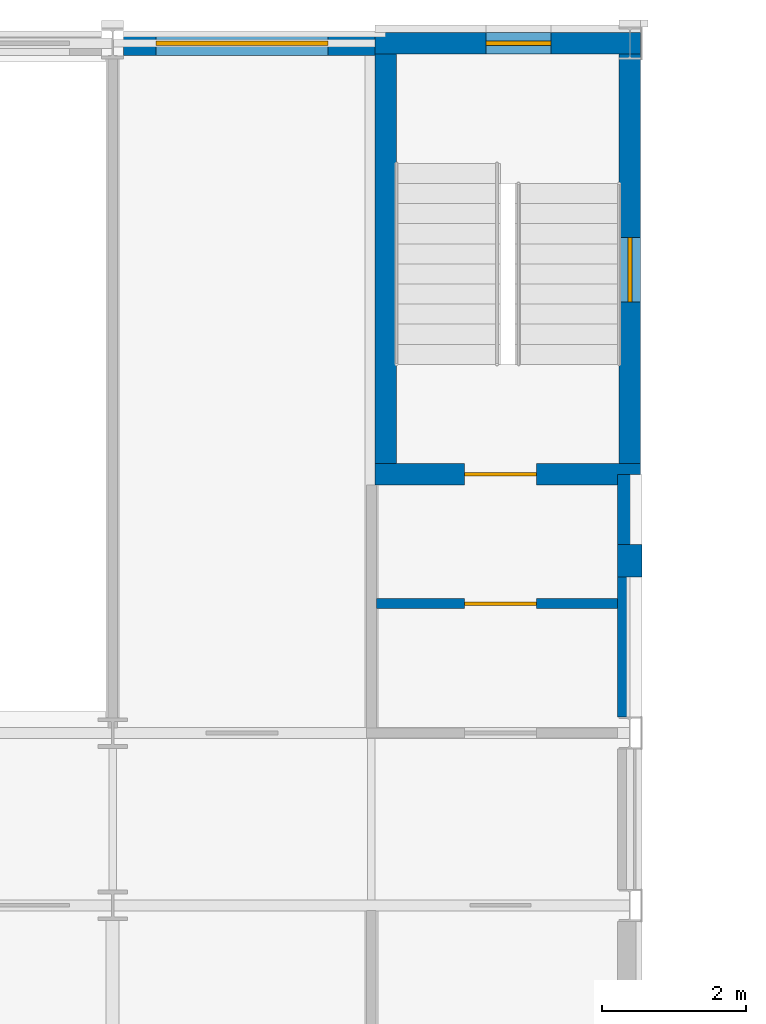
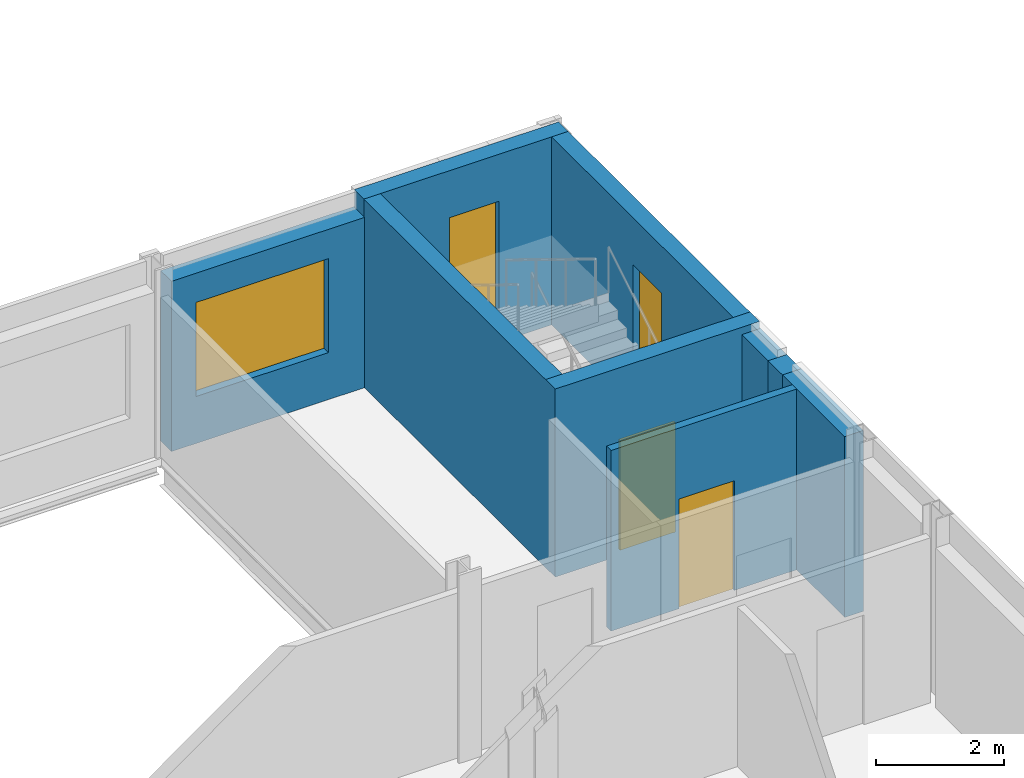
# One storey, part 65 of 120: 9 walls, 3 windows, 2 doors, 5 openings.
"""IFC4 building model written with IfcOpenShell, lengths in metres."""

from ifc_helpers import new_model, si_unit, direction, frame, frame_2d, origin, place, context, subcontext, project, spatial, rectangle, extrude, material, layer, layer_set, type_object, element, fill, save


model = new_model("IFC4")

# Units and contexts
model_context = context("Model", 3, precision=1e-05, world=origin(), true_north=direction((0.0, 1.0)))
body_context = subcontext(model_context, "Body", "Model", "MODEL_VIEW")
ifc_project = project(units=[si_unit("LENGTHUNIT", "METRE"), si_unit("AREAUNIT", "SQUARE_METRE"), si_unit("VOLUMEUNIT", "CUBIC_METRE"), si_unit("PLANEANGLEUNIT", "RADIAN"), si_unit("MASSUNIT", "GRAM", prefix="KILO")], contexts=[model_context])

# Site, building, storey
site_placement = place(None, origin())
site = spatial("IfcSite", under=ifc_project, at=site_placement, CompositionType="ELEMENT")
building_placement = place(site_placement, origin())
building = spatial("IfcBuilding", under=site, at=building_placement, Name="Kupolbacken Congress Centre", CompositionType="ELEMENT")
storey_placement = place(building_placement, frame((0.0, 0.0, 21.60009765625)))
storey = spatial("IfcBuildingStorey", under=building, at=storey_placement, Name="L06", CompositionType="ELEMENT", Elevation=21.60009765625)

# Walls
ifc_material_1 = material(Name="Brick", Category="masonry")
ifc_layer_1 = layer(ifc_material_1, 0.10791015625)
ifc_material_2 = material(Name="Air cavity", Category="air")
ifc_layer_2 = layer(ifc_material_2, 0.050048828125, ventilated=True)
ifc_material_3 = material(Name="Mineral wool", Category="insulation")
ifc_layer_3 = layer(ifc_material_3, 0.1298828125)
ifc_material_4 = material(Name="Steel studs", Category="metal")
ifc_layer_4 = layer(ifc_material_4, 0.052001953125)
ifc_layer_set_1 = layer_set([ifc_layer_1, ifc_layer_2, ifc_layer_3, ifc_layer_4], Name="Brick / Mineral wool / Steel studs")
wall_type_1 = type_object("IfcWallType", Name="EW02 external cavity wall 340", PredefinedType="SOLIDWALL", material=ifc_layer_set_1)
wall_1_placement = place(storey_placement, frame((136.800048828125, 134.625, 0.0), z_axis=(0.0, 0.0, 1.0), x_axis=(0.0, 1.0, 0.0)))
element("IfcWall", 1, at=wall_1_placement, inside=storey, type_object=wall_type_1, Name="E/T/E/L06/082", PredefinedType="SOLIDWALL", context=body_context, shape_type="SweptSolid", body=[
    extrude(rectangle(XDim=1.949951171875, YDim=0.340087890625, at=frame_2d((0.97509765625, 0.0))), origin(), (0.0, 0.0, 1.0), 3.4599609375),
])
wall_2_placement = place(storey_placement, frame((136.800048828125, 137.02490234375, 0.0), z_axis=(0.0, 0.0, 1.0), x_axis=(0.0, 1.0, 0.0)))
element("IfcWall", 2, at=wall_2_placement, inside=storey, type_object=wall_type_1, Name="E/T/E/L06/083", PredefinedType="SOLIDWALL", context=body_context, shape_type="SweptSolid", body=[
    extrude(rectangle(XDim=0.97509765625, YDim=0.340087890625, at=frame_2d((0.487548828125, 0.0))), origin(), (0.0, 0.0, 1.0), 3.4599609375),
])

# Wall, opening, window
wall_3_placement = place(storey_placement, frame((133.39990234375, 144.0, 0.0), z_axis=(0.0, 0.0, 1.0), x_axis=(-1.0, 0.0, 0.0)))
wall_3 = element("IfcWall", 3, at=wall_3_placement, inside=storey, type_object=wall_type_1, Name="E/T/N/L06/084", PredefinedType="SOLIDWALL", context=body_context, shape_type="SweptSolid", body=[
    extrude(rectangle(XDim=3.646484375, YDim=0.340087890625, at=frame_2d((1.8232421875, 0.0))), origin(), (0.0, 0.0, 1.0), 3.260009765625),
])
opening_1_placement = place(wall_3_placement, frame((0.800048828125, 0.0, 0.89990234375)))
opening_1 = element("IfcOpeningElement", 4, at=opening_1_placement, cuts=wall_3, Name="Opening W8", PredefinedType="OPENING", context=body_context, shape_type="SweptSolid", body=[
    extrude(rectangle(XDim=2.39990234375, YDim=1.800048828125, at=frame_2d((1.199951171875, 0.89990234375))), frame((0.0, 0.179931640625, 0.0), z_axis=(0.0, -1.0, 0.0), x_axis=(1.0, 0.0, 0.0)), (0.0, 0.0, 1.0), 0.360107421875),
])
ifc_material_5 = material(Name="Aluminium frame with double or triple glazing", Category="aluminium")
window_type_1 = type_object("IfcWindowType", Name="W8 window 2400x1800", PartitioningType="DOUBLE_PANEL_VERTICAL", PredefinedType="WINDOW", material=ifc_material_5)
window_1_placement = place(opening_1_placement, origin())
window_1 = element("IfcWindow", 5, at=window_1_placement, inside=storey, type_object=window_type_1, Name="E/T/N/L06/084/W1", OverallHeight=1.800048828125, OverallWidth=2.39990234375, PartitioningType="SINGLE_PANEL", PredefinedType="WINDOW", context=body_context, shape_type="SweptSolid", body=[
    extrude(rectangle(XDim=2.39990234375, YDim=1.800048828125, at=frame_2d((1.199951171875, 0.89990234375))), frame((0.0, 0.030029296875, 0.0), z_axis=(0.0, -1.0, 0.0), x_axis=(1.0, 0.0, 0.0)), (0.0, 0.0, 1.0), 0.06005859375),
])
fill(opening_1, window_1)

# Wall
wall_4_placement = place(storey_placement, frame((136.800048828125, 136.574951171875, 0.0), z_axis=(0.0, 0.0, 1.0), x_axis=(0.0, 1.0, 0.0)))
element("IfcWall", 6, at=wall_4_placement, inside=storey, type_object=wall_type_1, Name="E/T/gapfill/E/L06/002", PredefinedType="SOLIDWALL", context=body_context, shape_type="SweptSolid", body=[
    extrude(rectangle(XDim=0.449951171875, YDim=0.340087890625, at=frame_2d((0.22509765625, 0.0))), origin(), (0.0, 0.0, 1.0), 3.4599609375),
])

# Wall, opening, door
ifc_material_6 = material(Name="Aerated concrete block", Category="masonry")
ifc_layer_5 = layer(ifc_material_6, 0.139892578125)
ifc_layer_set_2 = layer_set([ifc_layer_5], Name="Aerated concrete block")
wall_type_2 = type_object("IfcWallType", Name="P14 compartment wall 140", PredefinedType="PARTITIONING", material=ifc_layer_set_2)
wall_5_placement = place(storey_placement, frame((133.27001953125, 136.199951171875, 0.0), z_axis=(0.0, 0.0, 1.0), x_axis=(1.0, 0.0, 0.0)))
wall_5 = element("IfcWall", 7, at=wall_5_placement, inside=storey, type_object=wall_type_2, Name="T/wall/L06/x/13620/13320", PredefinedType="PARTITIONING", context=body_context, shape_type="SweptSolid", body=[
    extrude(rectangle(XDim=3.35986328125, YDim=0.139892578125, at=frame_2d((1.679931640625, 0.0))), origin(), (0.0, 0.0, 1.0), 3.4599609375),
])
opening_2_placement = place(wall_5_placement, frame((1.22998046875, 0.0, 0.0)))
opening_2 = element("IfcOpeningElement", 8, at=opening_2_placement, cuts=wall_5, Name="Opening D5", PredefinedType="OPENING", context=body_context, shape_type="SweptSolid", body=[
    extrude(rectangle(XDim=1.0, YDim=2.10009765625, at=frame_2d((0.5, 1.050048828125))), frame((0.0, 0.079833984375, 0.0), z_axis=(0.0, -1.0, 0.0), x_axis=(1.0, 0.0, 0.0)), (0.0, 0.0, 1.0), 0.159912109375),
])
ifc_material_7 = material(Name="Steel fire door leaf", Category="steel")
door_type = type_object("IfcDoorType", Name="D5 stair door 1000x2100", OperationType="SINGLE_SWING_LEFT", PredefinedType="DOOR", material=ifc_material_7)
door_1_placement = place(opening_2_placement, frame((1.0, 0.0, 0.0), z_axis=(0.0, 0.0, 1.0), x_axis=(-1.0, 0.0, 0.0)))
door_1 = element("IfcDoor", 9, at=door_1_placement, inside=storey, type_object=door_type, Name="T/wall/L06/x/13620/13320/D-TS4-LK2", OperationType="SINGLE_SWING_RIGHT", OverallHeight=2.10009765625, OverallWidth=1.0, PredefinedType="DOOR", context=body_context, shape_type="SweptSolid", body=[
    extrude(rectangle(XDim=1.0, YDim=2.10009765625, at=frame_2d((0.5, 1.050048828125))), frame((0.0, 0.02490234375, 0.0), z_axis=(0.0, -1.0, 0.0), x_axis=(1.0, 0.0, 0.0)), (0.0, 0.0, 1.0), 0.050048828125),
])
fill(opening_2, door_1)

ifc_material_8 = material(Name="Concrete C40/50", Category="concrete")
ifc_layer_6 = layer(ifc_material_8, 0.300048828125)
ifc_layer_set_3 = layer_set([ifc_layer_6], Name="Concrete C40/50")
wall_type_3 = type_object("IfcWallType", Name="WC3 RC core wall 300", PredefinedType="SHEAR", material=ifc_layer_set_3)
wall_6_placement = place(storey_placement, frame((133.25, 138.0, 0.0), z_axis=(0.0, 0.0, 1.0), x_axis=(1.0, 0.0, 0.0)))
wall_6 = element("IfcWall", 10, at=wall_6_placement, inside=storey, type_object=wall_type_3, Name="Core wall L06-122", PredefinedType="SHEAR", context=body_context, shape_type="SweptSolid", body=[
    extrude(rectangle(XDim=3.699951171875, YDim=0.300048828125, at=frame_2d((1.85009765625, 0.0))), origin(), (0.0, 0.0, 1.0), 3.599853515625),
])
opening_3_placement = place(wall_6_placement, frame((1.25, 0.0, 0.0)))
opening_3 = element("IfcOpeningElement", 11, at=opening_3_placement, cuts=wall_6, Name="Opening D5", PredefinedType="OPENING", context=body_context, shape_type="SweptSolid", body=[
    extrude(rectangle(XDim=1.0, YDim=2.10009765625, at=frame_2d((0.5, 1.050048828125))), frame((0.0, 0.159912109375, 0.0), z_axis=(0.0, -1.0, 0.0), x_axis=(1.0, 0.0, 0.0)), (0.0, 0.0, 1.0), 0.320068359375),
])
door_2_placement = place(opening_3_placement, origin())
door_2 = element("IfcDoor", 12, at=door_2_placement, inside=storey, type_object=door_type, Name="S/core/L06/122/D-TS4-LK1", OperationType="SINGLE_SWING_RIGHT", OverallHeight=2.10009765625, OverallWidth=1.0, PredefinedType="DOOR", context=body_context, shape_type="SweptSolid", body=[
    extrude(rectangle(XDim=1.0, YDim=2.10009765625, at=frame_2d((0.5, 1.050048828125))), frame((0.0, 0.02490234375, 0.0), z_axis=(0.0, -1.0, 0.0), x_axis=(1.0, 0.0, 0.0)), (0.0, 0.0, 1.0), 0.050048828125),
])
fill(opening_3, door_2)

# Wall, opening, window
wall_7_placement = place(storey_placement, frame((136.800048828125, 137.85009765625, 0.0), z_axis=(0.0, 0.0, 1.0), x_axis=(0.0, 1.0, 0.0)))
wall_7 = element("IfcWall", 13, at=wall_7_placement, inside=storey, type_object=wall_type_3, Name="Core wall L06-123", PredefinedType="SHEAR", context=body_context, shape_type="SweptSolid", body=[
    extrude(rectangle(XDim=6.2998046875, YDim=0.300048828125, at=frame_2d((3.14990234375, 0.0))), origin(), (0.0, 0.0, 1.0), 3.599853515625),
])
opening_4_placement = place(wall_7_placement, frame((2.550048828125, 0.0, 0.60009765625)))
opening_4 = element("IfcOpeningElement", 14, at=opening_4_placement, cuts=wall_7, Name="Opening W28", PredefinedType="OPENING", context=body_context, shape_type="SweptSolid", body=[
    extrude(rectangle(XDim=0.89990234375, YDim=2.10009765625, at=frame_2d((0.449951171875, 1.050048828125))), frame((0.0, 0.159912109375, 0.0), z_axis=(0.0, -1.0, 0.0), x_axis=(1.0, 0.0, 0.0)), (0.0, 0.0, 1.0), 0.320068359375),
])
ifc_material_9 = material(Name="Aluminium frame with double or triple glazing", Category="aluminium")
window_type_2 = type_object("IfcWindowType", Name="W28 window 900x2100", PartitioningType="SINGLE_PANEL", PredefinedType="WINDOW", material=ifc_material_9)
window_2_placement = place(opening_4_placement, origin())
window_2 = element("IfcWindow", 15, at=window_2_placement, inside=storey, type_object=window_type_2, Name="S/core/L06/123/WW28", OverallHeight=2.10009765625, OverallWidth=0.89990234375, PartitioningType="SINGLE_PANEL", PredefinedType="WINDOW", context=body_context, shape_type="SweptSolid", body=[
    extrude(rectangle(XDim=0.89990234375, YDim=2.10009765625, at=frame_2d((0.449951171875, 1.050048828125))), frame((0.0, 0.030029296875, 0.0), z_axis=(0.0, -1.0, 0.0), x_axis=(1.0, 0.0, 0.0)), (0.0, 0.0, 1.0), 0.06005859375),
])
fill(opening_4, window_2)

# Wall
wall_8_placement = place(storey_placement, frame((133.39990234375, 144.14990234375, 0.0), z_axis=(0.0, 0.0, 1.0), x_axis=(0.0, -1.0, 0.0)))
element("IfcWall", 16, at=wall_8_placement, inside=storey, type_object=wall_type_3, Name="Core wall L06-130", PredefinedType="SHEAR", context=body_context, shape_type="SweptSolid", body=[
    extrude(rectangle(XDim=6.2998046875, YDim=0.300048828125, at=frame_2d((3.14990234375, 0.0))), origin(), (0.0, 0.0, 1.0), 3.599853515625),
])

# Wall, opening, window
wall_9_placement = place(storey_placement, frame((136.949951171875, 144.0, 0.0), z_axis=(0.0, 0.0, 1.0), x_axis=(-1.0, 0.0, 0.0)))
wall_9 = element("IfcWall", 17, at=wall_9_placement, inside=storey, type_object=wall_type_3, Name="Core wall L06-131", PredefinedType="SHEAR", context=body_context, shape_type="SweptSolid", body=[
    extrude(rectangle(XDim=3.699951171875, YDim=0.300048828125, at=frame_2d((1.85009765625, 0.0))), origin(), (0.0, 0.0, 1.0), 3.599853515625),
])
opening_5_placement = place(wall_9_placement, frame((1.25, 0.0, 0.60009765625)))
opening_5 = element("IfcOpeningElement", 18, at=opening_5_placement, cuts=wall_9, Name="Opening W28", PredefinedType="OPENING", context=body_context, shape_type="SweptSolid", body=[
    extrude(rectangle(XDim=0.89990234375, YDim=2.10009765625, at=frame_2d((0.449951171875, 1.050048828125))), frame((0.0, 0.159912109375, 0.0), z_axis=(0.0, -1.0, 0.0), x_axis=(1.0, 0.0, 0.0)), (0.0, 0.0, 1.0), 0.320068359375),
])
window_3_placement = place(opening_5_placement, origin())
window_3 = element("IfcWindow", 19, at=window_3_placement, inside=storey, type_object=window_type_2, Name="S/core/L06/131/WW28", OverallHeight=2.10009765625, OverallWidth=0.89990234375, PartitioningType="SINGLE_PANEL", PredefinedType="WINDOW", context=body_context, shape_type="SweptSolid", body=[
    extrude(rectangle(XDim=0.89990234375, YDim=2.10009765625, at=frame_2d((0.449951171875, 1.050048828125))), frame((0.0, 0.030029296875, 0.0), z_axis=(0.0, -1.0, 0.0), x_axis=(1.0, 0.0, 0.0)), (0.0, 0.0, 1.0), 0.06005859375),
])
fill(opening_5, window_3)

save(model, "model.ifc")
